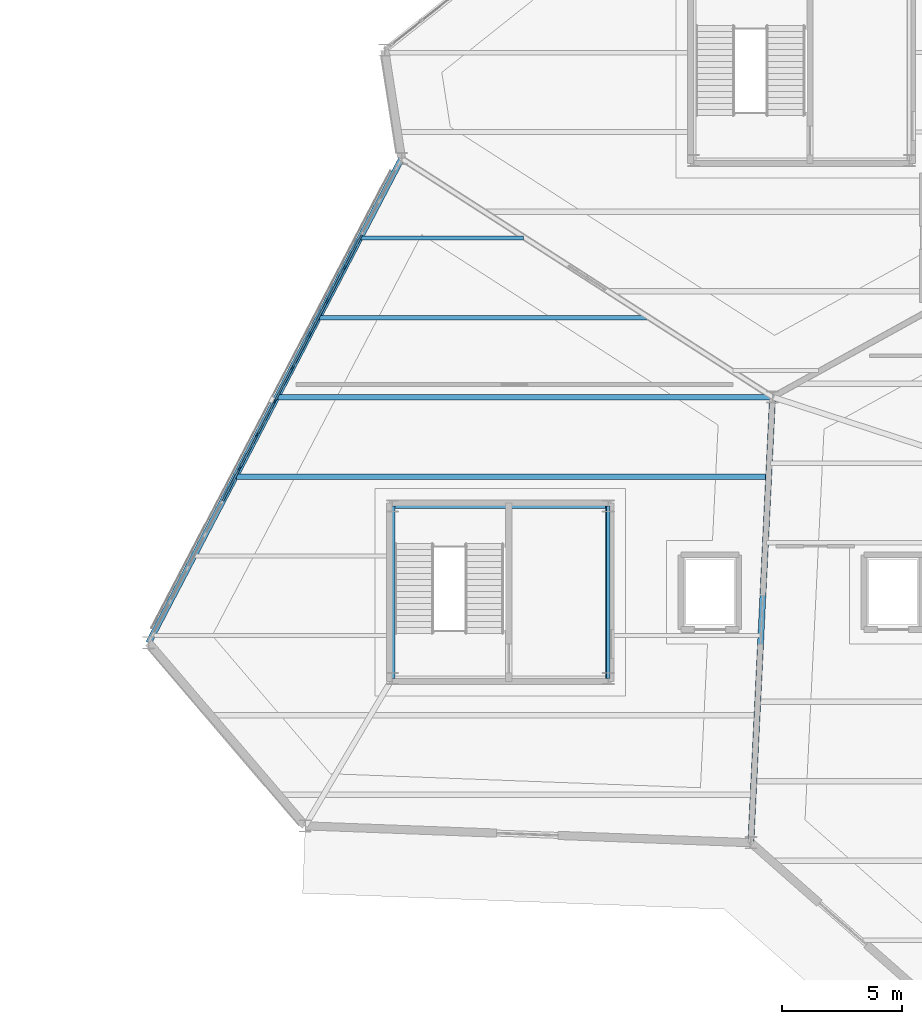
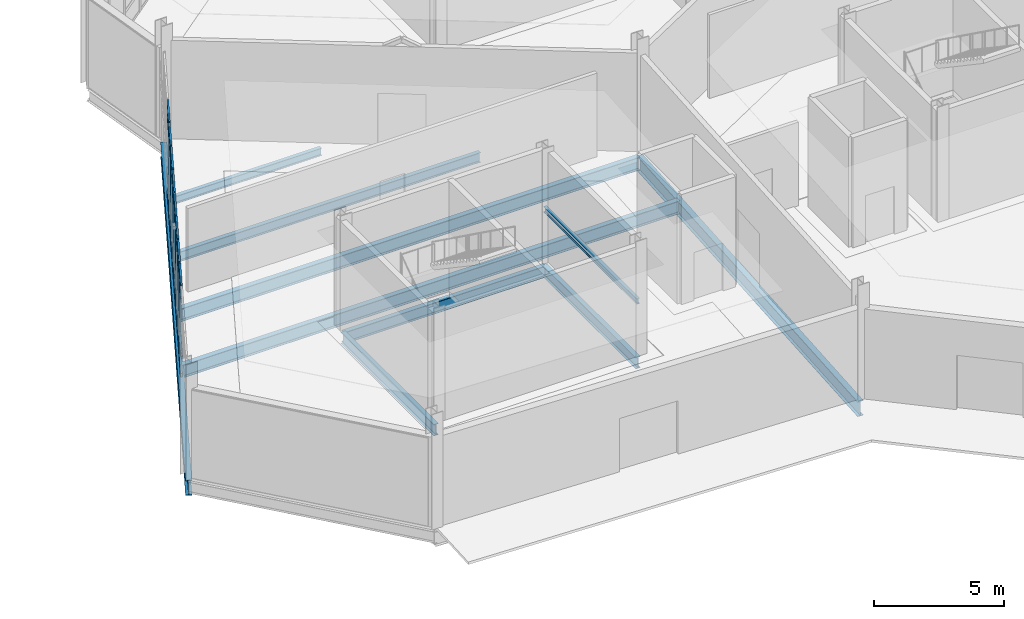
# One storey, part 50 of 113: 39 members, 10 beams, 1 element without a shape of its own.
"""IFC4 building model written with IfcOpenShell, lengths in metres."""

from ifc_helpers import new_model, si_unit, direction, frame, origin, origin_2d, place, context, subcontext, project, spatial, rectangle, i_section, extrude, material, material_profile, profile_set, type_object, element, aggregate, save


model = new_model("IFC4")

# Units and contexts
model_context = context("Model", 3, precision=1e-05, world=origin(), true_north=direction((0.0, 1.0)))
body_context = subcontext(model_context, "Body", "Model", "MODEL_VIEW")
ifc_project = project(units=[si_unit("LENGTHUNIT", "METRE"), si_unit("AREAUNIT", "SQUARE_METRE"), si_unit("VOLUMEUNIT", "CUBIC_METRE"), si_unit("PLANEANGLEUNIT", "RADIAN"), si_unit("MASSUNIT", "GRAM", prefix="KILO")], contexts=[model_context])

# Site, building, storey
site_placement = place(None, origin())
site = spatial("IfcSite", under=ifc_project, at=site_placement, CompositionType="ELEMENT")
building_placement = place(site_placement, origin())
building = spatial("IfcBuilding", under=site, at=building_placement, Name="Tameran Prism Museum", CompositionType="ELEMENT")
storey_placement = place(building_placement, origin())
storey = spatial("IfcBuildingStorey", under=building, at=storey_placement, Name="L00", CompositionType="ELEMENT", Elevation=0.0)

# Beams
ifc_material_1 = material(Name="Steel Grade 300PLUS (300 MPa)", Category="steel")
ifc_material_profile_1 = material_profile(ifc_material_1, i_section(OverallWidth=0.1708984375, OverallDepth=0.35595703125, WebThickness=0.00732421875, FlangeThickness=0.011474609375, FilletRadius=0.011474609375, at=origin_2d()))
ifc_profile_set_1 = profile_set([ifc_material_profile_1])
beam_type_1 = type_object("IfcBeamType", Name="BM-J360B", PredefinedType="JOIST", material=ifc_profile_set_1)
beam_1_placement = place(storey_placement, frame((101.720947265625, 95.699951171875, -0.41796875), z_axis=(1.0, 0.0, 0.0), x_axis=(0.0, 1.0, 0.0)))
element("IfcBeam", 1, at=beam_1_placement, inside=storey, type_object=beam_type_1, Name="Floor Beam BM-0167", PredefinedType="JOIST", context=body_context, shape_type="SweptSolid", body=[
    extrude(i_section(OverallWidth=0.1708984375, OverallDepth=0.35595703125, WebThickness=0.00732421875, FlangeThickness=0.011474609375, FilletRadius=0.011474609375, at=origin_2d()), origin(), (0.0, 0.0, 1.0), 6.738037109375),
])
ifc_material_2 = material(Name="Steel Grade 300PLUS (300 MPa)", Category="steel")
ifc_material_profile_2 = material_profile(ifc_material_2, i_section(OverallWidth=0.18994140625, OverallDepth=0.4541015625, WebThickness=0.008544921875, FlangeThickness=0.0126953125, FilletRadius=0.011474609375, at=origin_2d()))
ifc_profile_set_2 = profile_set([ifc_material_profile_2])
beam_type_2 = type_object("IfcBeamType", Name="BM-J460B", PredefinedType="JOIST", material=ifc_profile_set_2)
beam_2_placement = place(storey_placement, frame((99.9970703125, 92.39990234375, -0.467041015625), z_axis=(1.0, 0.0, 0.0), x_axis=(0.0, 1.0, 0.0)))
element("IfcBeam", 2, at=beam_2_placement, inside=storey, type_object=beam_type_2, Name="Floor Beam BM-0166", PredefinedType="JOIST", context=body_context, shape_type="SweptSolid", body=[
    extrude(i_section(OverallWidth=0.18994140625, OverallDepth=0.4541015625, WebThickness=0.008544921875, FlangeThickness=0.0126953125, FilletRadius=0.011474609375, at=origin_2d()), origin(), (0.0, 0.0, 1.0), 13.595947265625),
])
ifc_material_3 = material(Name="Steel Grade 300PLUS (300 MPa)", Category="steel")
ifc_material_profile_3 = material_profile(ifc_material_3, i_section(OverallWidth=0.14599609375, OverallDepth=0.256103515625, WebThickness=0.00634765625, FlangeThickness=0.010986328125, FilletRadius=0.0087890625, at=origin_2d()))
ifc_profile_set_3 = profile_set([ifc_material_profile_3])
beam_type_3 = type_object("IfcBeamType", Name="BM-L250", PredefinedType="LINTEL", material=ifc_profile_set_3)
beam_3_placement = place(storey_placement, frame((111.97998046875, 77.419921875, 2.3798828125), z_axis=(0.0, 1.0, 0.0), x_axis=(-1.0, 0.0, 0.0)))
element("IfcBeam", 3, at=beam_3_placement, inside=storey, type_object=beam_type_3, Name="Core Door Lintel LN-01", PredefinedType="LINTEL", context=body_context, shape_type="SweptSolid", body=[
    extrude(i_section(OverallWidth=0.14599609375, OverallDepth=0.256103515625, WebThickness=0.00634765625, FlangeThickness=0.010986328125, FilletRadius=0.0087890625, at=origin_2d()), origin(), (0.0, 0.0, 1.0), 7.16015625),
])
ifc_material_4 = material(Name="Steel Grade 300PLUS (300 MPa)", Category="steel")
ifc_material_profile_4 = material_profile(ifc_material_4, i_section(OverallWidth=0.208984375, OverallDepth=0.528076171875, WebThickness=0.009521484375, FlangeThickness=0.01318359375, FilletRadius=0.013916015625, at=origin_2d()))
ifc_profile_set_4 = profile_set([ifc_material_profile_4])
beam_type_4 = type_object("IfcBeamType", Name="BM-SP530B", PredefinedType="SPANDREL", material=ifc_profile_set_4)
beam_4_placement = place(storey_placement, frame((111.97998046875, 77.419921875, -0.50390625), z_axis=(0.0, 1.0, 0.0), x_axis=(-1.0, 0.0, 0.0)))
element("IfcBeam", 4, at=beam_4_placement, inside=storey, type_object=beam_type_4, Name="Core Ring Beam CTB-0103", PredefinedType="SPANDREL", context=body_context, shape_type="SweptSolid", body=[
    extrude(i_section(OverallWidth=0.208984375, OverallDepth=0.528076171875, WebThickness=0.009521484375, FlangeThickness=0.01318359375, FilletRadius=0.013916015625, at=origin_2d()), origin(), (0.0, 0.0, 1.0), 7.16015625),
])
beam_5_placement = place(storey_placement, frame((111.97998046875, 84.580078125, -0.50390625), z_axis=(-1.0, 0.0, 0.0), x_axis=(0.0, -1.0, 0.0)))
element("IfcBeam", 5, at=beam_5_placement, inside=storey, type_object=beam_type_4, Name="Core Ring Beam CTB-0104", PredefinedType="SPANDREL", context=body_context, shape_type="SweptSolid", body=[
    extrude(i_section(OverallWidth=0.208984375, OverallDepth=0.528076171875, WebThickness=0.009521484375, FlangeThickness=0.01318359375, FilletRadius=0.013916015625, at=origin_2d()), origin(), (0.0, 0.0, 1.0), 8.9599609375),
])
beam_6_placement = place(storey_placement, frame((103.02001953125, 84.580078125, -0.50390625), z_axis=(0.0, -1.0, 0.0), x_axis=(1.0, 0.0, 0.0)))
element("IfcBeam", 6, at=beam_6_placement, inside=storey, type_object=beam_type_4, Name="Core Ring Beam CTB-0105", PredefinedType="SPANDREL", context=body_context, shape_type="SweptSolid", body=[
    extrude(i_section(OverallWidth=0.208984375, OverallDepth=0.528076171875, WebThickness=0.009521484375, FlangeThickness=0.01318359375, FilletRadius=0.013916015625, at=origin_2d()), origin(), (0.0, 0.0, 1.0), 7.16015625),
])
ifc_material_5 = material(Name="Steel Grade 350 (350 MPa)", Category="steel")
ifc_material_profile_5 = material_profile(ifc_material_5, i_section(OverallWidth=0.25, OverallDepth=0.699951171875, WebThickness=0.010009765625, FlangeThickness=0.02001953125, at=origin_2d()))
ifc_profile_set_5 = profile_set([ifc_material_profile_5])
beam_type_5 = type_object("IfcBeamType", Name="BM-SP700", PredefinedType="SPANDREL", material=ifc_profile_set_5)
beam_7_placement = place(storey_placement, frame((117.89990234375, 70.60009765625, -0.590087890625), z_axis=(0.048599072515, 0.998818366947, 0.0), x_axis=(-0.998818366947, 0.048599072515, 0.0)))
element("IfcBeam", 7, at=beam_7_placement, inside=storey, type_object=beam_type_5, Name="Perimeter Spandrel SP-0002", PredefinedType="SPANDREL", context=body_context, shape_type="SweptSolid", body=[
    extrude(i_section(OverallWidth=0.25, OverallDepth=0.699951171875, WebThickness=0.010009765625, FlangeThickness=0.02001953125, at=origin_2d()), origin(), (0.0, 0.0, 1.0), 18.52197265625),
])
beam_8_placement = place(storey_placement, frame((103.39990234375, 99.0, -0.590087890625), z_axis=(-0.463016287734, -0.886349771418, 0.0), x_axis=(0.886349771418, -0.463016287734, 0.0)))
element("IfcBeam", 8, at=beam_8_placement, inside=storey, type_object=beam_type_5, Name="Perimeter Spandrel SP-0004", PredefinedType="SPANDREL", context=body_context, shape_type="SweptSolid", body=[
    extrude(i_section(OverallWidth=0.25, OverallDepth=0.699951171875, WebThickness=0.010009765625, FlangeThickness=0.02001953125, at=origin_2d()), origin(), (0.0, 0.0, 1.0), 22.677490234375),
])
ifc_material_6 = material(Name="Steel Grade 300PLUS (300 MPa)", Category="steel")
ifc_material_profile_6 = material_profile(ifc_material_6, i_section(OverallWidth=0.22802734375, OverallDepth=0.60693359375, WebThickness=0.01123046875, FlangeThickness=0.017333984375, FilletRadius=0.013916015625, at=origin_2d()))
ifc_profile_set_6 = profile_set([ifc_material_profile_6])
beam_type_6 = type_object("IfcBeamType", Name="BM-UB610B", PredefinedType="BEAM", material=ifc_profile_set_6)
beam_9_placement = place(storey_placement, frame((96.550048828125, 85.800048828125, -0.54345703125), z_axis=(1.0, 0.0, 0.0), x_axis=(0.0, 1.0, 0.0)))
element("IfcBeam", 9, at=beam_9_placement, inside=storey, type_object=beam_type_6, Name="Floor Beam BM-0164", PredefinedType="BEAM", context=body_context, shape_type="SweptSolid", body=[
    extrude(i_section(OverallWidth=0.22802734375, OverallDepth=0.60693359375, WebThickness=0.01123046875, FlangeThickness=0.017333984375, FilletRadius=0.013916015625, at=origin_2d()), origin(), (0.0, 0.0, 1.0), 22.049072265625),
])
beam_10_placement = place(storey_placement, frame((98.27294921875, 89.10009765625, -0.54345703125), z_axis=(1.0, 0.0, 0.0), x_axis=(0.0, 1.0, 0.0)))
element("IfcBeam", 10, at=beam_10_placement, inside=storey, type_object=beam_type_6, Name="Floor Beam BM-0165", PredefinedType="BEAM", context=body_context, shape_type="SweptSolid", body=[
    extrude(i_section(OverallWidth=0.22802734375, OverallDepth=0.60693359375, WebThickness=0.01123046875, FlangeThickness=0.017333984375, FilletRadius=0.013916015625, at=origin_2d()), origin(), (0.0, 0.0, 1.0), 20.453125),
])

# Curtain wall, members
ifc_material_7 = material(Name="Anodised Aluminium 6063-T6 and Cyclone Solar Glass", Category="aluminium")
curtain_wall_type = type_object("IfcCurtainWallType", Name="CW-FAC-2192x422", PredefinedType="USERDEFINED", material=ifc_material_7)
curtain_wall_placement = place(storey_placement, origin())
curtain_wall = element("IfcCurtainWall", 11, at=curtain_wall_placement, inside=storey, type_object=curtain_wall_type, Name="Unitised Curtain Wall CW-021", ObjectType="UNITISED CURTAIN WALL", PredefinedType="USERDEFINED")
ifc_material_8 = material(Name="Anodised Aluminium Alloy 6063-T6", Category="aluminium")
ifc_material_profile_7 = material_profile(ifc_material_8, rectangle(XDim=0.074951171875, YDim=0.199951171875, at=origin_2d()))
ifc_profile_set_7 = profile_set([ifc_material_profile_7])
member_type_1 = type_object("IfcMemberType", Name="CW-MUL-C", PredefinedType="MULLION", material=ifc_profile_set_7)
member_1_placement = place(storey_placement, frame((96.686279296875, 86.148193359375, 0.0), z_axis=(0.0, 0.0, 1.0), x_axis=(-0.886356952612, 0.463002540551, 0.0)))
member_1 = element("IfcMember", 12, at=member_1_placement, type_object=member_type_1, Name="CW-021 mullion 6", PredefinedType="MULLION", context=body_context, shape_type="SweptSolid", body=[
    extrude(rectangle(XDim=0.074951171875, YDim=0.199951171875, at=origin_2d()), origin(), (0.0, 0.0, 1.0), 4.219970703125),
])
member_2_placement = place(storey_placement, frame((97.4111328125, 87.535888671875, 0.0), z_axis=(0.0, 0.0, 1.0), x_axis=(-0.886356952612, 0.463002540551, 0.0)))
member_2 = element("IfcMember", 13, at=member_2_placement, type_object=member_type_1, Name="CW-021 mullion 7", PredefinedType="MULLION", context=body_context, shape_type="SweptSolid", body=[
    extrude(rectangle(XDim=0.074951171875, YDim=0.199951171875, at=origin_2d()), origin(), (0.0, 0.0, 1.0), 4.219970703125),
])
member_3_placement = place(storey_placement, frame((98.135986328125, 88.923583984375, 0.0), z_axis=(0.0, 0.0, 1.0), x_axis=(-0.886356952612, 0.463002540551, 0.0)))
member_3 = element("IfcMember", 14, at=member_3_placement, type_object=member_type_1, Name="CW-021 mullion 8", PredefinedType="MULLION", context=body_context, shape_type="SweptSolid", body=[
    extrude(rectangle(XDim=0.074951171875, YDim=0.199951171875, at=origin_2d()), origin(), (0.0, 0.0, 1.0), 4.219970703125),
])
member_4_placement = place(storey_placement, frame((98.86083984375, 90.31103515625, 0.0), z_axis=(0.0, 0.0, 1.0), x_axis=(-0.886356952612, 0.463002540551, 0.0)))
member_4 = element("IfcMember", 15, at=member_4_placement, type_object=member_type_1, Name="CW-021 mullion 9", PredefinedType="MULLION", context=body_context, shape_type="SweptSolid", body=[
    extrude(rectangle(XDim=0.074951171875, YDim=0.199951171875, at=origin_2d()), origin(), (0.0, 0.0, 1.0), 4.219970703125),
])
member_5_placement = place(storey_placement, frame((99.585693359375, 91.69873046875, 0.0), z_axis=(0.0, 0.0, 1.0), x_axis=(-0.886356952612, 0.463002540551, 0.0)))
member_5 = element("IfcMember", 16, at=member_5_placement, type_object=member_type_1, Name="CW-021 mullion 10", PredefinedType="MULLION", context=body_context, shape_type="SweptSolid", body=[
    extrude(rectangle(XDim=0.074951171875, YDim=0.199951171875, at=origin_2d()), origin(), (0.0, 0.0, 1.0), 4.219970703125),
])
member_6_placement = place(storey_placement, frame((100.310546875, 93.08642578125, 0.0), z_axis=(0.0, 0.0, 1.0), x_axis=(-0.886356952612, 0.463002540551, 0.0)))
member_6 = element("IfcMember", 17, at=member_6_placement, type_object=member_type_1, Name="CW-021 mullion 11", PredefinedType="MULLION", context=body_context, shape_type="SweptSolid", body=[
    extrude(rectangle(XDim=0.074951171875, YDim=0.199951171875, at=origin_2d()), origin(), (0.0, 0.0, 1.0), 4.219970703125),
])
member_7_placement = place(storey_placement, frame((101.035400390625, 94.47412109375, 0.0), z_axis=(0.0, 0.0, 1.0), x_axis=(-0.886356952612, 0.463002540551, 0.0)))
member_7 = element("IfcMember", 18, at=member_7_placement, type_object=member_type_1, Name="CW-021 mullion 12", PredefinedType="MULLION", context=body_context, shape_type="SweptSolid", body=[
    extrude(rectangle(XDim=0.074951171875, YDim=0.199951171875, at=origin_2d()), origin(), (0.0, 0.0, 1.0), 4.219970703125),
])
ifc_material_9 = material(Name="Anodised Aluminium Alloy 6063-T6", Category="aluminium")
ifc_material_profile_8 = material_profile(ifc_material_9, rectangle(XDim=0.074951171875, YDim=0.175048828125, at=origin_2d()))
ifc_profile_set_8 = profile_set([ifc_material_profile_8])
member_type_2 = type_object("IfcMemberType", Name="CW-TRN-C", PredefinedType="USERDEFINED", material=ifc_profile_set_8)
member_8_placement = place(storey_placement, frame((95.978759765625, 84.793701171875, 0.03759765625), z_axis=(0.462996930736, 0.886359882965, 0.0), x_axis=(-0.886359882965, 0.462996930736, 0.0)))
member_8 = element("IfcMember", 19, at=member_8_placement, type_object=member_type_2, Name="CW-021 transom 5.1", ObjectType="TRANSOM", PredefinedType="USERDEFINED", context=body_context, shape_type="SweptSolid", body=[
    extrude(rectangle(XDim=0.074951171875, YDim=0.175048828125, at=origin_2d()), origin(), (0.0, 0.0, 1.0), 1.49072265625),
])
member_9_placement = place(storey_placement, frame((95.978759765625, 84.793701171875, 1.0), z_axis=(0.462996930736, 0.886359882965, 0.0), x_axis=(-0.886359882965, 0.462996930736, 0.0)))
member_9 = element("IfcMember", 20, at=member_9_placement, type_object=member_type_2, Name="CW-021 transom 5.2", ObjectType="TRANSOM", PredefinedType="USERDEFINED", context=body_context, shape_type="SweptSolid", body=[
    extrude(rectangle(XDim=0.074951171875, YDim=0.175048828125, at=origin_2d()), origin(), (0.0, 0.0, 1.0), 1.49072265625),
])
member_10_placement = place(storey_placement, frame((95.978759765625, 84.793701171875, 3.5400390625), z_axis=(0.462996930736, 0.886359882965, 0.0), x_axis=(-0.886359882965, 0.462996930736, 0.0)))
member_10 = element("IfcMember", 21, at=member_10_placement, type_object=member_type_2, Name="CW-021 transom 5.3", ObjectType="TRANSOM", PredefinedType="USERDEFINED", context=body_context, shape_type="SweptSolid", body=[
    extrude(rectangle(XDim=0.074951171875, YDim=0.175048828125, at=origin_2d()), origin(), (0.0, 0.0, 1.0), 1.49072265625),
])
member_11_placement = place(storey_placement, frame((95.978759765625, 84.793701171875, 4.1826171875), z_axis=(0.462996930736, 0.886359882965, 0.0), x_axis=(-0.886359882965, 0.462996930736, 0.0)))
member_11 = element("IfcMember", 22, at=member_11_placement, type_object=member_type_2, Name="CW-021 transom 5.4", ObjectType="TRANSOM", PredefinedType="USERDEFINED", context=body_context, shape_type="SweptSolid", body=[
    extrude(rectangle(XDim=0.074951171875, YDim=0.175048828125, at=origin_2d()), origin(), (0.0, 0.0, 1.0), 1.49072265625),
])
member_12_placement = place(storey_placement, frame((96.70361328125, 86.181396484375, 0.03759765625), z_axis=(0.462996930736, 0.886359882965, 0.0), x_axis=(-0.886359882965, 0.462996930736, 0.0)))
member_12 = element("IfcMember", 23, at=member_12_placement, type_object=member_type_2, Name="CW-021 transom 6.1", ObjectType="TRANSOM", PredefinedType="USERDEFINED", context=body_context, shape_type="SweptSolid", body=[
    extrude(rectangle(XDim=0.074951171875, YDim=0.175048828125, at=origin_2d()), origin(), (0.0, 0.0, 1.0), 1.49072265625),
])
member_13_placement = place(storey_placement, frame((96.70361328125, 86.181396484375, 1.0), z_axis=(0.462996930736, 0.886359882965, 0.0), x_axis=(-0.886359882965, 0.462996930736, 0.0)))
member_13 = element("IfcMember", 24, at=member_13_placement, type_object=member_type_2, Name="CW-021 transom 6.2", ObjectType="TRANSOM", PredefinedType="USERDEFINED", context=body_context, shape_type="SweptSolid", body=[
    extrude(rectangle(XDim=0.074951171875, YDim=0.175048828125, at=origin_2d()), origin(), (0.0, 0.0, 1.0), 1.49072265625),
])
member_14_placement = place(storey_placement, frame((96.70361328125, 86.181396484375, 3.5400390625), z_axis=(0.462996930736, 0.886359882965, 0.0), x_axis=(-0.886359882965, 0.462996930736, 0.0)))
member_14 = element("IfcMember", 25, at=member_14_placement, type_object=member_type_2, Name="CW-021 transom 6.3", ObjectType="TRANSOM", PredefinedType="USERDEFINED", context=body_context, shape_type="SweptSolid", body=[
    extrude(rectangle(XDim=0.074951171875, YDim=0.175048828125, at=origin_2d()), origin(), (0.0, 0.0, 1.0), 1.49072265625),
])
member_15_placement = place(storey_placement, frame((96.70361328125, 86.181396484375, 4.1826171875), z_axis=(0.462996930736, 0.886359882965, 0.0), x_axis=(-0.886359882965, 0.462996930736, 0.0)))
member_15 = element("IfcMember", 26, at=member_15_placement, type_object=member_type_2, Name="CW-021 transom 6.4", ObjectType="TRANSOM", PredefinedType="USERDEFINED", context=body_context, shape_type="SweptSolid", body=[
    extrude(rectangle(XDim=0.074951171875, YDim=0.175048828125, at=origin_2d()), origin(), (0.0, 0.0, 1.0), 1.49072265625),
])
member_16_placement = place(storey_placement, frame((97.428466796875, 87.569091796875, 0.03759765625), z_axis=(0.462996930736, 0.886359882965, 0.0), x_axis=(-0.886359882965, 0.462996930736, 0.0)))
member_16 = element("IfcMember", 27, at=member_16_placement, type_object=member_type_2, Name="CW-021 transom 7.1", ObjectType="TRANSOM", PredefinedType="USERDEFINED", context=body_context, shape_type="SweptSolid", body=[
    extrude(rectangle(XDim=0.074951171875, YDim=0.175048828125, at=origin_2d()), origin(), (0.0, 0.0, 1.0), 1.49072265625),
])
member_17_placement = place(storey_placement, frame((97.428466796875, 87.569091796875, 1.0), z_axis=(0.462996930736, 0.886359882965, 0.0), x_axis=(-0.886359882965, 0.462996930736, 0.0)))
member_17 = element("IfcMember", 28, at=member_17_placement, type_object=member_type_2, Name="CW-021 transom 7.2", ObjectType="TRANSOM", PredefinedType="USERDEFINED", context=body_context, shape_type="SweptSolid", body=[
    extrude(rectangle(XDim=0.074951171875, YDim=0.175048828125, at=origin_2d()), origin(), (0.0, 0.0, 1.0), 1.49072265625),
])
member_18_placement = place(storey_placement, frame((97.428466796875, 87.569091796875, 3.5400390625), z_axis=(0.462996930736, 0.886359882965, 0.0), x_axis=(-0.886359882965, 0.462996930736, 0.0)))
member_18 = element("IfcMember", 29, at=member_18_placement, type_object=member_type_2, Name="CW-021 transom 7.3", ObjectType="TRANSOM", PredefinedType="USERDEFINED", context=body_context, shape_type="SweptSolid", body=[
    extrude(rectangle(XDim=0.074951171875, YDim=0.175048828125, at=origin_2d()), origin(), (0.0, 0.0, 1.0), 1.49072265625),
])
member_19_placement = place(storey_placement, frame((97.428466796875, 87.569091796875, 4.1826171875), z_axis=(0.462996930736, 0.886359882965, 0.0), x_axis=(-0.886359882965, 0.462996930736, 0.0)))
member_19 = element("IfcMember", 30, at=member_19_placement, type_object=member_type_2, Name="CW-021 transom 7.4", ObjectType="TRANSOM", PredefinedType="USERDEFINED", context=body_context, shape_type="SweptSolid", body=[
    extrude(rectangle(XDim=0.074951171875, YDim=0.175048828125, at=origin_2d()), origin(), (0.0, 0.0, 1.0), 1.49072265625),
])
member_20_placement = place(storey_placement, frame((98.1533203125, 88.956787109375, 0.03759765625), z_axis=(0.463064150185, 0.886324767122, 0.0), x_axis=(-0.886324767122, 0.463064150185, 0.0)))
member_20 = element("IfcMember", 31, at=member_20_placement, type_object=member_type_2, Name="CW-021 transom 8.1", ObjectType="TRANSOM", PredefinedType="USERDEFINED", context=body_context, shape_type="SweptSolid", body=[
    extrude(rectangle(XDim=0.074951171875, YDim=0.175048828125, at=origin_2d()), origin(), (0.0, 0.0, 1.0), 1.490478515625),
])
member_21_placement = place(storey_placement, frame((98.1533203125, 88.956787109375, 1.0), z_axis=(0.463064150185, 0.886324767122, 0.0), x_axis=(-0.886324767122, 0.463064150185, 0.0)))
member_21 = element("IfcMember", 32, at=member_21_placement, type_object=member_type_2, Name="CW-021 transom 8.2", ObjectType="TRANSOM", PredefinedType="USERDEFINED", context=body_context, shape_type="SweptSolid", body=[
    extrude(rectangle(XDim=0.074951171875, YDim=0.175048828125, at=origin_2d()), origin(), (0.0, 0.0, 1.0), 1.490478515625),
])
member_22_placement = place(storey_placement, frame((98.1533203125, 88.956787109375, 3.5400390625), z_axis=(0.463064150185, 0.886324767122, 0.0), x_axis=(-0.886324767122, 0.463064150185, 0.0)))
member_22 = element("IfcMember", 33, at=member_22_placement, type_object=member_type_2, Name="CW-021 transom 8.3", ObjectType="TRANSOM", PredefinedType="USERDEFINED", context=body_context, shape_type="SweptSolid", body=[
    extrude(rectangle(XDim=0.074951171875, YDim=0.175048828125, at=origin_2d()), origin(), (0.0, 0.0, 1.0), 1.490478515625),
])
member_23_placement = place(storey_placement, frame((98.1533203125, 88.956787109375, 4.1826171875), z_axis=(0.463064150185, 0.886324767122, 0.0), x_axis=(-0.886324767122, 0.463064150185, 0.0)))
member_23 = element("IfcMember", 34, at=member_23_placement, type_object=member_type_2, Name="CW-021 transom 8.4", ObjectType="TRANSOM", PredefinedType="USERDEFINED", context=body_context, shape_type="SweptSolid", body=[
    extrude(rectangle(XDim=0.074951171875, YDim=0.175048828125, at=origin_2d()), origin(), (0.0, 0.0, 1.0), 1.490478515625),
])
member_24_placement = place(storey_placement, frame((98.878173828125, 90.344482421875, 0.03759765625), z_axis=(0.463064150185, 0.886324767122, 0.0), x_axis=(-0.886324767122, 0.463064150185, 0.0)))
member_24 = element("IfcMember", 35, at=member_24_placement, type_object=member_type_2, Name="CW-021 transom 9.1", ObjectType="TRANSOM", PredefinedType="USERDEFINED", context=body_context, shape_type="SweptSolid", body=[
    extrude(rectangle(XDim=0.074951171875, YDim=0.175048828125, at=origin_2d()), origin(), (0.0, 0.0, 1.0), 1.490478515625),
])
member_25_placement = place(storey_placement, frame((98.878173828125, 90.344482421875, 1.0), z_axis=(0.463064150185, 0.886324767122, 0.0), x_axis=(-0.886324767122, 0.463064150185, 0.0)))
member_25 = element("IfcMember", 36, at=member_25_placement, type_object=member_type_2, Name="CW-021 transom 9.2", ObjectType="TRANSOM", PredefinedType="USERDEFINED", context=body_context, shape_type="SweptSolid", body=[
    extrude(rectangle(XDim=0.074951171875, YDim=0.175048828125, at=origin_2d()), origin(), (0.0, 0.0, 1.0), 1.490478515625),
])
member_26_placement = place(storey_placement, frame((98.878173828125, 90.344482421875, 3.5400390625), z_axis=(0.463064150185, 0.886324767122, 0.0), x_axis=(-0.886324767122, 0.463064150185, 0.0)))
member_26 = element("IfcMember", 37, at=member_26_placement, type_object=member_type_2, Name="CW-021 transom 9.3", ObjectType="TRANSOM", PredefinedType="USERDEFINED", context=body_context, shape_type="SweptSolid", body=[
    extrude(rectangle(XDim=0.074951171875, YDim=0.175048828125, at=origin_2d()), origin(), (0.0, 0.0, 1.0), 1.490478515625),
])
member_27_placement = place(storey_placement, frame((98.878173828125, 90.344482421875, 4.1826171875), z_axis=(0.463064150185, 0.886324767122, 0.0), x_axis=(-0.886324767122, 0.463064150185, 0.0)))
member_27 = element("IfcMember", 38, at=member_27_placement, type_object=member_type_2, Name="CW-021 transom 9.4", ObjectType="TRANSOM", PredefinedType="USERDEFINED", context=body_context, shape_type="SweptSolid", body=[
    extrude(rectangle(XDim=0.074951171875, YDim=0.175048828125, at=origin_2d()), origin(), (0.0, 0.0, 1.0), 1.490478515625),
])
member_28_placement = place(storey_placement, frame((99.60302734375, 91.73193359375, 0.03759765625), z_axis=(0.462996930736, 0.886359882965, 0.0), x_axis=(-0.886359882965, 0.462996930736, 0.0)))
member_28 = element("IfcMember", 39, at=member_28_placement, type_object=member_type_2, Name="CW-021 transom 10.1", ObjectType="TRANSOM", PredefinedType="USERDEFINED", context=body_context, shape_type="SweptSolid", body=[
    extrude(rectangle(XDim=0.074951171875, YDim=0.175048828125, at=origin_2d()), origin(), (0.0, 0.0, 1.0), 1.49072265625),
])
member_29_placement = place(storey_placement, frame((99.60302734375, 91.73193359375, 1.0), z_axis=(0.462996930736, 0.886359882965, 0.0), x_axis=(-0.886359882965, 0.462996930736, 0.0)))
member_29 = element("IfcMember", 40, at=member_29_placement, type_object=member_type_2, Name="CW-021 transom 10.2", ObjectType="TRANSOM", PredefinedType="USERDEFINED", context=body_context, shape_type="SweptSolid", body=[
    extrude(rectangle(XDim=0.074951171875, YDim=0.175048828125, at=origin_2d()), origin(), (0.0, 0.0, 1.0), 1.49072265625),
])
member_30_placement = place(storey_placement, frame((99.60302734375, 91.73193359375, 3.5400390625), z_axis=(0.462996930736, 0.886359882965, 0.0), x_axis=(-0.886359882965, 0.462996930736, 0.0)))
member_30 = element("IfcMember", 41, at=member_30_placement, type_object=member_type_2, Name="CW-021 transom 10.3", ObjectType="TRANSOM", PredefinedType="USERDEFINED", context=body_context, shape_type="SweptSolid", body=[
    extrude(rectangle(XDim=0.074951171875, YDim=0.175048828125, at=origin_2d()), origin(), (0.0, 0.0, 1.0), 1.49072265625),
])
member_31_placement = place(storey_placement, frame((99.60302734375, 91.73193359375, 4.1826171875), z_axis=(0.462996930736, 0.886359882965, 0.0), x_axis=(-0.886359882965, 0.462996930736, 0.0)))
member_31 = element("IfcMember", 42, at=member_31_placement, type_object=member_type_2, Name="CW-021 transom 10.4", ObjectType="TRANSOM", PredefinedType="USERDEFINED", context=body_context, shape_type="SweptSolid", body=[
    extrude(rectangle(XDim=0.074951171875, YDim=0.175048828125, at=origin_2d()), origin(), (0.0, 0.0, 1.0), 1.49072265625),
])
member_32_placement = place(storey_placement, frame((100.327880859375, 93.11962890625, 0.03759765625), z_axis=(0.462996930736, 0.886359882965, 0.0), x_axis=(-0.886359882965, 0.462996930736, 0.0)))
member_32 = element("IfcMember", 43, at=member_32_placement, type_object=member_type_2, Name="CW-021 transom 11.1", ObjectType="TRANSOM", PredefinedType="USERDEFINED", context=body_context, shape_type="SweptSolid", body=[
    extrude(rectangle(XDim=0.074951171875, YDim=0.175048828125, at=origin_2d()), origin(), (0.0, 0.0, 1.0), 1.49072265625),
])
member_33_placement = place(storey_placement, frame((100.327880859375, 93.11962890625, 1.0), z_axis=(0.462996930736, 0.886359882965, 0.0), x_axis=(-0.886359882965, 0.462996930736, 0.0)))
member_33 = element("IfcMember", 44, at=member_33_placement, type_object=member_type_2, Name="CW-021 transom 11.2", ObjectType="TRANSOM", PredefinedType="USERDEFINED", context=body_context, shape_type="SweptSolid", body=[
    extrude(rectangle(XDim=0.074951171875, YDim=0.175048828125, at=origin_2d()), origin(), (0.0, 0.0, 1.0), 1.49072265625),
])
member_34_placement = place(storey_placement, frame((100.327880859375, 93.11962890625, 3.5400390625), z_axis=(0.462996930736, 0.886359882965, 0.0), x_axis=(-0.886359882965, 0.462996930736, 0.0)))
member_34 = element("IfcMember", 45, at=member_34_placement, type_object=member_type_2, Name="CW-021 transom 11.3", ObjectType="TRANSOM", PredefinedType="USERDEFINED", context=body_context, shape_type="SweptSolid", body=[
    extrude(rectangle(XDim=0.074951171875, YDim=0.175048828125, at=origin_2d()), origin(), (0.0, 0.0, 1.0), 1.49072265625),
])
member_35_placement = place(storey_placement, frame((100.327880859375, 93.11962890625, 4.1826171875), z_axis=(0.462996930736, 0.886359882965, 0.0), x_axis=(-0.886359882965, 0.462996930736, 0.0)))
member_35 = element("IfcMember", 46, at=member_35_placement, type_object=member_type_2, Name="CW-021 transom 11.4", ObjectType="TRANSOM", PredefinedType="USERDEFINED", context=body_context, shape_type="SweptSolid", body=[
    extrude(rectangle(XDim=0.074951171875, YDim=0.175048828125, at=origin_2d()), origin(), (0.0, 0.0, 1.0), 1.49072265625),
])
member_36_placement = place(storey_placement, frame((101.052734375, 94.50732421875, 0.03759765625), z_axis=(0.463064150185, 0.886324767122, 0.0), x_axis=(-0.886324767122, 0.463064150185, 0.0)))
member_36 = element("IfcMember", 47, at=member_36_placement, type_object=member_type_2, Name="CW-021 transom 12.1", ObjectType="TRANSOM", PredefinedType="USERDEFINED", context=body_context, shape_type="SweptSolid", body=[
    extrude(rectangle(XDim=0.074951171875, YDim=0.175048828125, at=origin_2d()), origin(), (0.0, 0.0, 1.0), 1.490478515625),
])
member_37_placement = place(storey_placement, frame((101.052734375, 94.50732421875, 1.0), z_axis=(0.463064150185, 0.886324767122, 0.0), x_axis=(-0.886324767122, 0.463064150185, 0.0)))
member_37 = element("IfcMember", 48, at=member_37_placement, type_object=member_type_2, Name="CW-021 transom 12.2", ObjectType="TRANSOM", PredefinedType="USERDEFINED", context=body_context, shape_type="SweptSolid", body=[
    extrude(rectangle(XDim=0.074951171875, YDim=0.175048828125, at=origin_2d()), origin(), (0.0, 0.0, 1.0), 1.490478515625),
])
member_38_placement = place(storey_placement, frame((101.052734375, 94.50732421875, 3.5400390625), z_axis=(0.463064150185, 0.886324767122, 0.0), x_axis=(-0.886324767122, 0.463064150185, 0.0)))
member_38 = element("IfcMember", 49, at=member_38_placement, type_object=member_type_2, Name="CW-021 transom 12.3", ObjectType="TRANSOM", PredefinedType="USERDEFINED", context=body_context, shape_type="SweptSolid", body=[
    extrude(rectangle(XDim=0.074951171875, YDim=0.175048828125, at=origin_2d()), origin(), (0.0, 0.0, 1.0), 1.490478515625),
])
member_39_placement = place(storey_placement, frame((101.052734375, 94.50732421875, 4.1826171875), z_axis=(0.463064150185, 0.886324767122, 0.0), x_axis=(-0.886324767122, 0.463064150185, 0.0)))
member_39 = element("IfcMember", 50, at=member_39_placement, type_object=member_type_2, Name="CW-021 transom 12.4", ObjectType="TRANSOM", PredefinedType="USERDEFINED", context=body_context, shape_type="SweptSolid", body=[
    extrude(rectangle(XDim=0.074951171875, YDim=0.175048828125, at=origin_2d()), origin(), (0.0, 0.0, 1.0), 1.490478515625),
])
aggregate(curtain_wall, [member_1, member_2, member_3, member_4, member_5, member_6, member_7, member_8, member_9, member_10, member_11, member_12, member_13, member_14, member_15, member_16, member_17, member_18, member_19, member_20, member_21, member_22, member_23, member_24, member_25, member_26, member_27, member_28, member_29, member_30, member_31, member_32, member_33, member_34, member_35, member_36, member_37, member_38, member_39])

save(model, "model.ifc")
